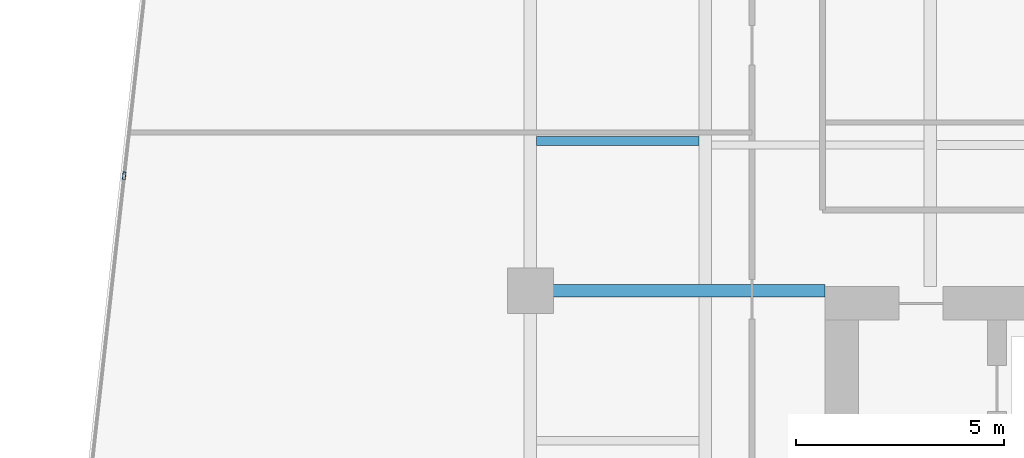
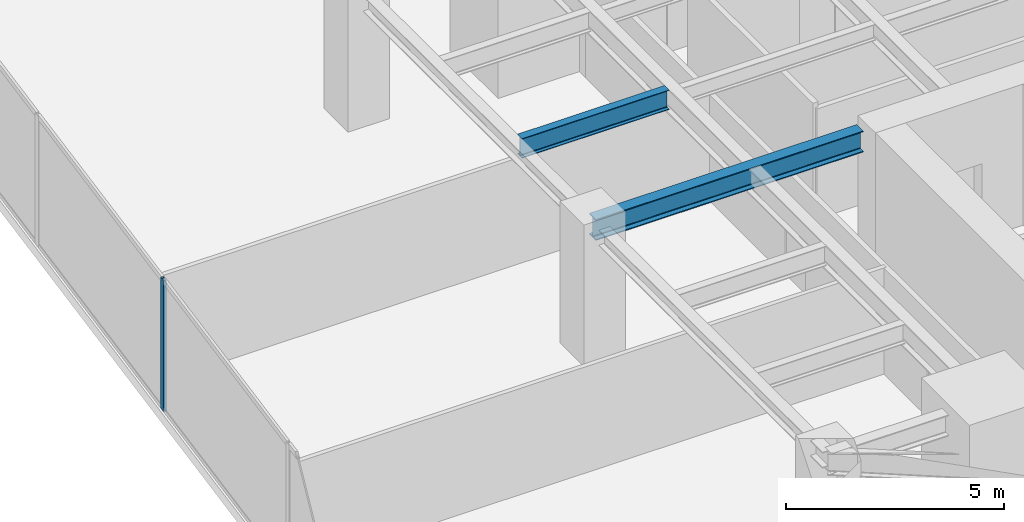
# One storey, part 8 of 29: 2 beams, 1 member, 1 element without a shape of its own.
"""IFC4 building model written with IfcOpenShell, lengths in metres."""

from ifc_helpers import new_model, si_unit, direction, frame, origin, origin_2d, place, context, subcontext, project, spatial, hollow_rectangle, i_section, extrude, source, transform, mapped, material, material_profile, profile_set, type_object, type_shapes, element, aggregate, save


model = new_model("IFC4")

# Units and contexts
model_context = context("Model", 3, precision=1e-05, world=origin(), true_north=direction((0.0, 1.0)))
body_context = subcontext(model_context, "Body", "Model", "MODEL_VIEW")
ifc_project = project(units=[si_unit("LENGTHUNIT", "METRE"), si_unit("AREAUNIT", "SQUARE_METRE"), si_unit("VOLUMEUNIT", "CUBIC_METRE"), si_unit("PLANEANGLEUNIT", "RADIAN"), si_unit("MASSUNIT", "GRAM", prefix="KILO")], contexts=[model_context])

# Site, building, storey
site_placement = place(None, origin())
site = spatial("IfcSite", under=ifc_project, at=site_placement, CompositionType="ELEMENT")
building_placement = place(site_placement, origin())
building = spatial("IfcBuilding", under=site, at=building_placement, Name="Krantzveldt Concourse Tower", CompositionType="ELEMENT")
storey_placement = place(building_placement, frame((0.0, 0.0, 60.550048828125)))
storey = spatial("IfcBuildingStorey", under=building, at=storey_placement, Name="L14", CompositionType="ELEMENT", Elevation=60.550048828125)

# Beams
ifc_material_1 = material(Name="Steel S355JR", Category="steel")
ifc_material_profile_1 = material_profile(ifc_material_1, i_section(OverallWidth=0.300048828125, OverallDepth=0.590087890625, WebThickness=0.012939453125, FlangeThickness=0.02490234375, FilletRadius=0.027099609375, at=origin_2d()), Name="Steel S355JR", Category="steel")
ifc_profile_set_1 = profile_set([ifc_material_profile_1], Name="Steel S355JR - HEA 600")
beam_type_1 = type_object("IfcBeamType", Name="BM-B-HEA600", PredefinedType="BEAM", material=ifc_profile_set_1)
shared_shape_1 = source(origin(), body_context, "Body", "SweptSolid", [
    extrude(i_section(OverallWidth=0.300048828125, OverallDepth=0.590087890625, WebThickness=0.012939453125, FlangeThickness=0.02490234375, FilletRadius=0.027099609375, at=origin_2d()), origin(), (0.0, 0.0, 1.0), 7.080078125),
])
type_shapes(beam_type_1, [shared_shape_1])
beam_1_placement = place(storey_placement, frame((21.0, 26.699951171875, 3.375), z_axis=(1.0, 0.0, 0.0), x_axis=(0.0, 1.0, 0.0)))
element("IfcBeam", 1, at=beam_1_placement, inside=storey, type_object=beam_type_1, Name="L14 Tower Girder BG-CW2", PredefinedType="BEAM", context=body_context, shape_type="MappedRepresentation", body=[
    mapped(shared_shape_1, transform((0.0, 0.0, 0.0), x_axis=(1.0, 0.0, 0.0), y_axis=(0.0, 1.0, 0.0), z_axis=(0.0, 0.0, 1.0), scale=1.0)),
])
ifc_material_profile_2 = material_profile(ifc_material_1, i_section(OverallWidth=0.2099609375, OverallDepth=0.550048828125, WebThickness=0.010986328125, FlangeThickness=0.01708984375, FilletRadius=0.02392578125, at=origin_2d()), Name="Steel S355JR", Category="steel")
ifc_profile_set_2 = profile_set([ifc_material_profile_2], Name="Steel S355JR - IPE 550")
beam_type_2 = type_object("IfcBeamType", Name="BM-J-IPE550", PredefinedType="JOIST", material=ifc_profile_set_2)
shared_shape_2 = source(origin(), body_context, "Body", "SweptSolid", [
    extrude(i_section(OverallWidth=0.2099609375, OverallDepth=0.550048828125, WebThickness=0.010986328125, FlangeThickness=0.01708984375, FilletRadius=0.02392578125, at=origin_2d()), origin(), (0.0, 0.0, 1.0), 3.900146484375),
])
type_shapes(beam_type_2, [shared_shape_2])
beam_2_placement = place(storey_placement, frame((21.14990234375, 30.300048828125, 3.39501953125), z_axis=(1.0, 0.0, 0.0), x_axis=(0.0, 1.0, 0.0)))
element("IfcBeam", 2, at=beam_2_placement, inside=storey, type_object=beam_type_2, Name="L14 Secondary Floor Joist JW-3", PredefinedType="JOIST", context=body_context, shape_type="MappedRepresentation", body=[
    mapped(shared_shape_2, transform((0.0, 0.0, 0.0), x_axis=(1.0, 0.0, 0.0), y_axis=(0.0, 1.0, 0.0), z_axis=(0.0, 0.0, 1.0), scale=1.0)),
])

# Curtain wall, member
ifc_material_2 = material(Name="Anodised aluminium 6063-T6", Category="aluminium")
curtain_wall_type = type_object("IfcCurtainWallType", Name="CW2", PredefinedType="USERDEFINED", material=ifc_material_2)
curtain_wall_placement = place(storey_placement, origin())
curtain_wall = element("IfcCurtainWall", 3, at=curtain_wall_placement, inside=storey, type_object=curtain_wall_type, Name="CW-L14-F01", ObjectType="UNITISED CURTAIN WALL", PredefinedType="USERDEFINED")
ifc_material_profile_3 = material_profile(ifc_material_2, hollow_rectangle(XDim=0.070068359375, YDim=0.179931640625, WallThickness=0.0048828125, at=origin_2d()), Name="Anodised aluminium 6063-T6", Category="aluminium")
ifc_profile_set_3 = profile_set([ifc_material_profile_3], Name="Anodised aluminium 6063-T6 - ALU-MULL 180x70x5")
member_type = type_object("IfcMemberType", Name="CW-MUL-180", PredefinedType="MULLION", material=ifc_profile_set_3)
shared_shape_3 = source(origin(), body_context, "Body", "SweptSolid", [
    extrude(hollow_rectangle(XDim=0.070068359375, YDim=0.179931640625, WallThickness=0.0048828125, at=origin_2d()), origin(), (0.0, 0.0, 1.0), 3.669921875),
])
type_shapes(member_type, [shared_shape_3])
member_placement = place(storey_placement, frame((11.244140625, 29.4658203125, 0.0), z_axis=(0.0, 0.0, 1.0), x_axis=(0.993816458223, -0.111035342863, 0.0)))
member = element("IfcMember", 4, at=member_placement, type_object=member_type, Name="CW-Z12 mullion 4", PredefinedType="MULLION", context=body_context, shape_type="MappedRepresentation", body=[
    mapped(shared_shape_3, transform((0.0, 0.0, 0.0), x_axis=(1.0, 0.0, 0.0), y_axis=(0.0, 1.0, 0.0), z_axis=(0.0, 0.0, 1.0), scale=1.0)),
])
aggregate(curtain_wall, [member])

save(model, "model.ifc")
